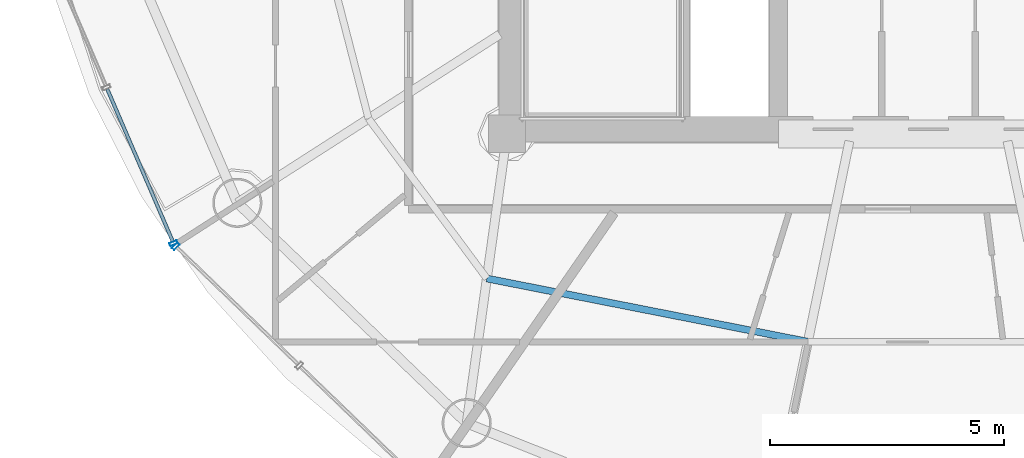
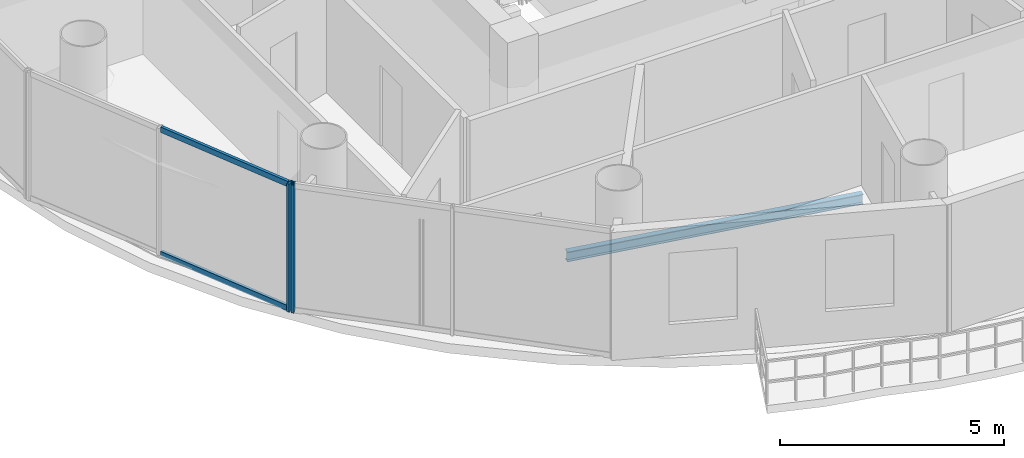
# One storey, part 3 of 24: 4 members, 1 beam, 2 elements without a shape of their own.
"""IFC4 building model written with IfcOpenShell, lengths in metres."""

from ifc_helpers import new_model, si_unit, direction, frame, origin, origin_2d, place, context, subcontext, project, spatial, hollow_rectangle, i_section, extrude, source, transform, mapped, material, material_profile, profile_set, type_object, element, aggregate, save


model = new_model("IFC4")

# Units and contexts
model_context = context("Model", 3, precision=1e-05, world=origin(), true_north=direction((-0.2419218956, 0.970295726276)))
body_context = subcontext(model_context, "Body", "Model", "MODEL_VIEW")
ifc_project = project(units=[si_unit("LENGTHUNIT", "METRE"), si_unit("AREAUNIT", "SQUARE_METRE"), si_unit("VOLUMEUNIT", "CUBIC_METRE"), si_unit("PLANEANGLEUNIT", "RADIAN"), si_unit("MASSUNIT", "GRAM", prefix="KILO")], contexts=[model_context])

# Site, building, storey
site_placement = place(None, origin())
site = spatial("IfcSite", under=ifc_project, at=site_placement, CompositionType="ELEMENT")
building_placement = place(site_placement, origin())
building = spatial("IfcBuilding", under=site, at=building_placement, Name="Cobrevalo Terracotta Tower", CompositionType="ELEMENT")
storey_placement = place(building_placement, frame((0.0, 0.0, 278.199951171875)))
storey = spatial("IfcBuildingStorey", under=building, at=storey_placement, Name="L73", CompositionType="ELEMENT", Elevation=278.199951171875)

# Beam
ifc_material_1 = material(Name="Steel S355", Category="steel")
ifc_material_profile_1 = material_profile(ifc_material_1, i_section(OverallWidth=0.14794921875, OverallDepth=0.26611328125, WebThickness=0.007568359375, FlangeThickness=0.012939453125, at=origin_2d()), Name="W 250x44.8")
ifc_profile_set_1 = profile_set([ifc_material_profile_1], Name="Steel S355")
beam_type = type_object("IfcBeamType", Name="Structural Joist W 250x44.8 (Steel S355)", PredefinedType="JOIST", material=ifc_profile_set_1)
beam_placement = place(storey_placement, frame((28.5693359375, 15.711669921875, -0.39306640625), z_axis=(0.981145060421, -0.193272787563, 0.0), x_axis=(0.193272787563, 0.981145060421, 0.0)))
element("IfcBeam", 1, at=beam_placement, inside=storey, type_object=beam_type, Name="L73 circumferential secondary floor joist 11", PredefinedType="JOIST", context=body_context, shape_type="SweptSolid", body=[
    extrude(i_section(OverallWidth=0.14794921875, OverallDepth=0.26611328125, WebThickness=0.007568359375, FlangeThickness=0.012939453125, at=origin_2d()), origin(), (0.0, 0.0, 1.0), 6.98681640625),
])

# Curtain wall, member
ifc_material_2 = material(Name="Anodized aluminium", Category="aluminium")
curtain_wall_type = type_object("IfcCurtainWallType", Name="Upper-tower triple-glazed penthouse curtain wall CW-U3", PredefinedType="NOTDEFINED", material=ifc_material_2)
curtain_wall_1_placement = place(storey_placement, origin())
curtain_wall_1 = element("IfcCurtainWall", 2, at=curtain_wall_1_placement, inside=storey, type_object=curtain_wall_type, Name="L73 curtain wall CW-L73-S09", PredefinedType="NOTDEFINED")
ifc_material_profile_2 = material_profile(ifc_material_2, hollow_rectangle(XDim=0.070068359375, YDim=0.169921875, WallThickness=0.00439453125, at=origin_2d()), Name="CWM 70x170")
ifc_profile_set_2 = profile_set([ifc_material_profile_2], Name="Anodized aluminium")
member_type_1 = type_object("IfcMemberType", Name="Upper tower unitised mullion 70x170", PredefinedType="MULLION", material=ifc_profile_set_2)
shared_shape_1 = source(origin(), body_context, "Body", "SweptSolid", [
    extrude(hollow_rectangle(XDim=0.070068359375, YDim=0.169921875, WallThickness=0.00439453125, at=origin_2d()), origin(), (0.0, 0.0, 1.0), 3.489990234375),
])
member_1_placement = place(storey_placement, frame((21.878662109375, 16.46435546875, 0.0), z_axis=(0.0, 0.0, 1.0), x_axis=(0.39482403454, -0.91875675875, 0.0)))
member_1 = element("IfcMember", 3, at=member_1_placement, type_object=member_type_1, Name="CW-L73-S09 vertical mullion 03", PredefinedType="MULLION", context=body_context, shape_type="MappedRepresentation", body=[
    mapped(shared_shape_1, transform((0.0, 0.0, 0.0), scale=1.0)),
])

curtain_wall_2_placement = place(storey_placement, origin())
curtain_wall_2 = element("IfcCurtainWall", 4, at=curtain_wall_2_placement, inside=storey, type_object=curtain_wall_type, Name="L73 curtain wall CW-L73-S10", PredefinedType="NOTDEFINED")
member_2_placement = place(storey_placement, frame((21.92333984375, 16.399658203125, 0.0), z_axis=(0.0, 0.0, 1.0), x_axis=(0.71999418085, -0.69398010025, 0.0)))
member_2 = element("IfcMember", 5, at=member_2_placement, type_object=member_type_1, Name="CW-L73-S10 vertical mullion 01", PredefinedType="MULLION", context=body_context, shape_type="MappedRepresentation", body=[
    mapped(shared_shape_1, transform((0.0, 0.0, 0.0), scale=1.0)),
])
aggregate(curtain_wall_2, [member_2])

# Member
ifc_material_profile_3 = material_profile(ifc_material_2, hollow_rectangle(XDim=0.074951171875, YDim=0.14990234375, WallThickness=0.00439453125, at=origin_2d()), Name="CWT 75x150")
ifc_profile_set_3 = profile_set([ifc_material_profile_3], Name="Anodized aluminium")
member_type_2 = type_object("IfcMemberType", Name="Tower unitised aluminium transom 75x150", PredefinedType="USERDEFINED", material=ifc_profile_set_3)
shared_shape_2 = source(origin(), body_context, "Body", "SweptSolid", [
    extrude(hollow_rectangle(XDim=0.074951171875, YDim=0.14990234375, WallThickness=0.00439453125, at=origin_2d()), origin(), (0.0, 0.0, 1.0), 3.542724609375),
])
member_3_placement = place(storey_placement, frame((20.464111328125, 19.755859375, 0.050048828125), z_axis=(0.394809056766, -0.918763195114, 0.0), x_axis=(0.918763195114, 0.394809056766, 0.0)))
member_3 = element("IfcMember", 6, at=member_3_placement, type_object=member_type_2, Name="CW-L73-S09 transom B02-T1", ObjectType="TRANSOM", PredefinedType="USERDEFINED", context=body_context, shape_type="MappedRepresentation", body=[
    mapped(shared_shape_2, transform((0.0, 0.0, 0.0), scale=1.0)),
])

member_4_placement = place(storey_placement, frame((20.464111328125, 19.755859375, 3.43994140625), z_axis=(0.394809056766, -0.918763195114, 0.0), x_axis=(0.918763195114, 0.394809056766, 0.0)))
member_4 = element("IfcMember", 7, at=member_4_placement, type_object=member_type_2, Name="CW-L73-S09 transom B02-T2", ObjectType="TRANSOM", PredefinedType="USERDEFINED", context=body_context, shape_type="MappedRepresentation", body=[
    mapped(shared_shape_2, transform((0.0, 0.0, 0.0), scale=1.0)),
])

aggregate(curtain_wall_1, [member_1, member_3, member_4])

save(model, "model.ifc")
